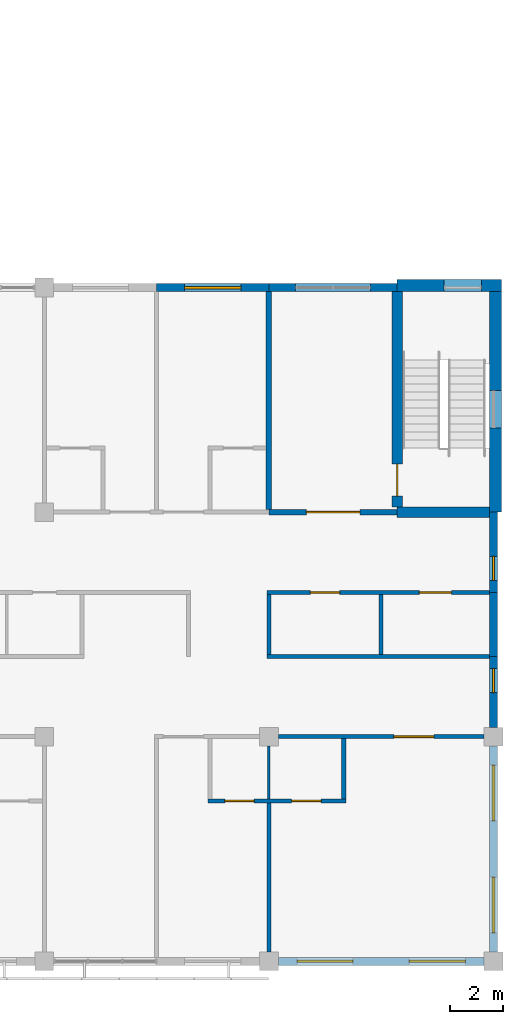
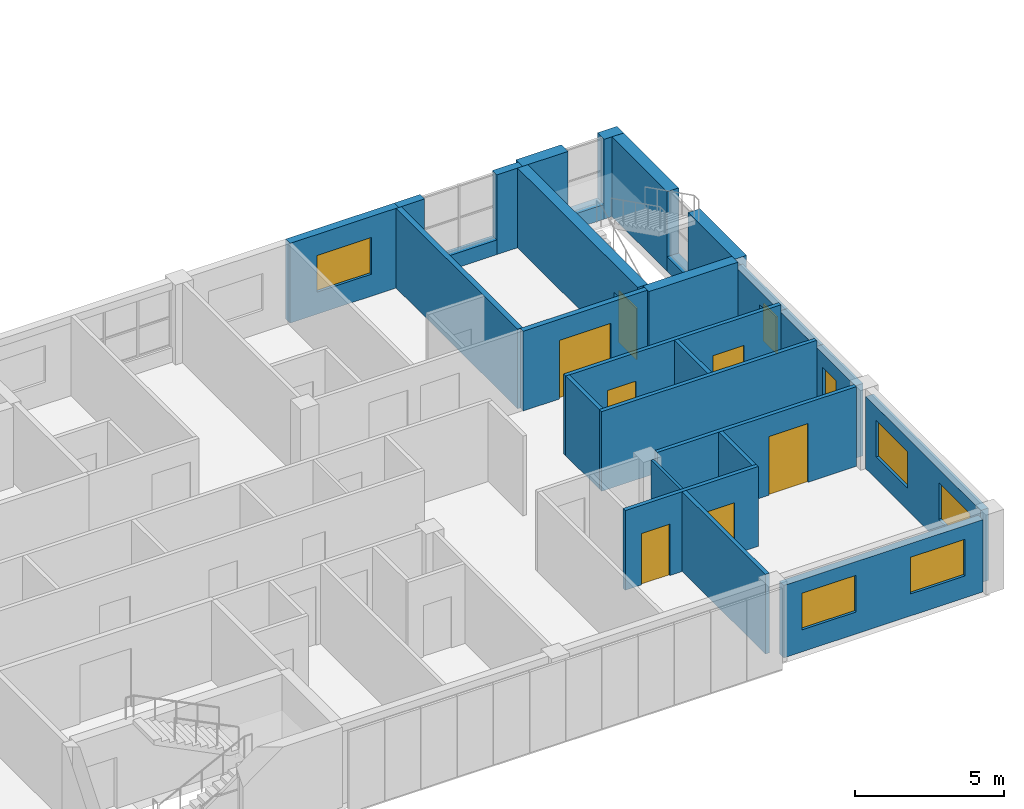
# One storey, part 37 of 45: 28 walls, 7 doors, 7 windows, 14 openings.
"""IFC4 building model written with IfcOpenShell, lengths in metres."""

from ifc_helpers import new_model, si_unit, direction, frame, frame_2d, origin, place, context, subcontext, project, spatial, rectangle, extrude, material, layer, layer_set, type_object, element, fill, save


model = new_model("IFC4")

# Units and contexts
model_context = context("Model", 3, precision=1e-05, world=origin(), true_north=direction((0.0, 1.0)))
body_context = subcontext(model_context, "Body", "Model", "MODEL_VIEW")
ifc_project = project(units=[si_unit("LENGTHUNIT", "METRE"), si_unit("AREAUNIT", "SQUARE_METRE"), si_unit("VOLUMEUNIT", "CUBIC_METRE"), si_unit("PLANEANGLEUNIT", "RADIAN"), si_unit("MASSUNIT", "GRAM", prefix="KILO")], contexts=[model_context])

# Site, building, storey
site_placement = place(None, origin())
site = spatial("IfcSite", under=ifc_project, at=site_placement, CompositionType="ELEMENT")
building_placement = place(site_placement, origin())
building = spatial("IfcBuilding", under=site, at=building_placement, Name="Yavir Park General Hospital", CompositionType="ELEMENT")
storey_placement = place(building_placement, frame((0.0, 0.0, 22.5)))
storey = spatial("IfcBuildingStorey", under=building, at=storey_placement, Name="L05", CompositionType="ELEMENT", Elevation=22.5)

# Wall, opening, door
ifc_material_1 = material(Name="Double gypsum board fire partition on steel studs", Category="steel")
ifc_layer_1 = layer(ifc_material_1, 0.199951171875)
ifc_layer_set_1 = layer_set([ifc_layer_1], Name="Double gypsum board fire partition on steel studs")
wall_type_1 = type_object("IfcWallType", Name="Fire-rated partition 200, EI 60", PredefinedType="PARTITIONING", material=ifc_layer_set_1)
wall_1_placement = place(storey_placement, frame((159.60009765625, 16.800048828125, 0.0), z_axis=(0.0, 0.0, 1.0), x_axis=(1.0, 0.0, 0.0)))
wall_1 = element("IfcWall", 1, at=wall_1_placement, inside=storey, type_object=wall_type_1, Name="FP20 L05-040", PredefinedType="PARTITIONING", context=body_context, shape_type="SweptSolid", body=[
    extrude(rectangle(XDim=4.7998046875, YDim=0.199951171875, at=frame_2d((2.39990234375, 0.0))), origin(), (0.0, 0.0, 1.0), 3.260009765625),
])
opening_1_placement = place(wall_1_placement, frame((1.39990234375, 0.0, 0.0)))
opening_1 = element("IfcOpeningElement", 2, at=opening_1_placement, cuts=wall_1, Name="Opening L05.D045", PredefinedType="OPENING", context=body_context, shape_type="SweptSolid", body=[
    extrude(rectangle(XDim=2.0, YDim=2.39990234375, at=frame_2d((1.0, 1.199951171875))), frame((0.0, 0.10986328125, 0.0), z_axis=(0.0, -1.0, 0.0), x_axis=(1.0, 0.0, 0.0)), (0.0, 0.0, 1.0), 0.219970703125),
])
ifc_material_2 = material(Name="Steel frame, fire-resisting leaves with vision panels", Category="steel")
door_type_1 = type_object("IfcDoorType", Name="Double fire door with vision panels 2000 x 2400, EI 60", OperationType="DOUBLE_DOOR_SINGLE_SWING", PredefinedType="DOOR", material=ifc_material_2)
door_1_placement = place(opening_1_placement, origin())
door_1 = element("IfcDoor", 3, at=door_1_placement, inside=storey, type_object=door_type_1, Name="L05.D045", OperationType="SINGLE_SWING_RIGHT", OverallHeight=2.39990234375, OverallWidth=2.0, PredefinedType="DOOR", context=body_context, shape_type="SweptSolid", body=[
    extrude(rectangle(XDim=2.0, YDim=2.39990234375, at=frame_2d((1.0, 1.199951171875))), frame((0.0, 0.030029296875, 0.0), z_axis=(0.0, -1.0, 0.0), x_axis=(1.0, 0.0, 0.0)), (0.0, 0.0, 1.0), 0.06005859375),
])
fill(opening_1, door_1)

# Walls
wall_2_placement = place(storey_placement, frame((159.60009765625, 16.89990234375, 0.0), z_axis=(0.0, 0.0, 1.0), x_axis=(0.0, 1.0, 0.0)))
element("IfcWall", 4, at=wall_2_placement, inside=storey, type_object=wall_type_1, Name="FP20 L05-269", PredefinedType="PARTITIONING", context=body_context, shape_type="SweptSolid", body=[
    extrude(rectangle(XDim=8.150146484375, YDim=0.199951171875, at=frame_2d((4.0751953125, 0.0))), origin(), (0.0, 0.0, 1.0), 3.260009765625),
])
ifc_material_3 = material(Name="Gypsum board partition on steel studs", Category="steel")
ifc_layer_2 = layer(ifc_material_3, 0.10009765625)
ifc_layer_set_2 = layer_set([ifc_layer_2], Name="Gypsum board partition on steel studs")
wall_type_2 = type_object("IfcWallType", Name="Gypsum board partition 100", PredefinedType="PARTITIONING", material=ifc_layer_set_2)
wall_3_placement = place(storey_placement, frame((159.60009765625, 6.074951171875, 0.0), z_axis=(0.0, 0.0, 1.0), x_axis=(0.0, 1.0, 0.0)))
element("IfcWall", 5, at=wall_3_placement, inside=storey, type_object=wall_type_2, Name="P10 L05-267", PredefinedType="PARTITIONING", context=body_context, shape_type="SweptSolid", body=[
    extrude(rectangle(XDim=1.97509765625, YDim=0.10009765625, at=frame_2d((0.987548828125, 0.0))), origin(), (0.0, 0.0, 1.0), 3.260009765625),
])

# Wall, openings, doors
ifc_material_4 = material(Name="Gypsum board partition on steel studs", Category="steel")
ifc_layer_3 = layer(ifc_material_4, 0.14990234375)
ifc_layer_set_3 = layer_set([ifc_layer_3], Name="Gypsum board partition on steel studs")
wall_type_3 = type_object("IfcWallType", Name="Gypsum board partition 150", PredefinedType="PARTITIONING", material=ifc_layer_set_3)
wall_4_placement = place(storey_placement, frame((157.324951171875, 6.0, 0.0), z_axis=(0.0, 0.0, 1.0), x_axis=(1.0, 0.0, 0.0)))
wall_4 = element("IfcWall", 6, at=wall_4_placement, inside=storey, type_object=wall_type_3, Name="P15 L05-010", PredefinedType="PARTITIONING", context=body_context, shape_type="SweptSolid", body=[
    extrude(rectangle(XDim=5.150146484375, YDim=0.14990234375, at=frame_2d((2.5751953125, 0.0))), origin(), (0.0, 0.0, 1.0), 3.260009765625),
])
opening_2_placement = place(wall_4_placement, frame((0.625, 0.0, 0.0)))
opening_2 = element("IfcOpeningElement", 7, at=opening_2_placement, cuts=wall_4, Name="Opening L05.D011", PredefinedType="OPENING", context=body_context, shape_type="SweptSolid", body=[
    extrude(rectangle(XDim=1.10009765625, YDim=2.10009765625, at=frame_2d((0.550048828125, 1.050048828125))), frame((0.0, 0.0849609375, 0.0), z_axis=(0.0, -1.0, 0.0), x_axis=(1.0, 0.0, 0.0)), (0.0, 0.0, 1.0), 0.169921875),
])
opening_3_placement = place(wall_4_placement, frame((3.125, 0.0, 0.0)))
opening_3 = element("IfcOpeningElement", 8, at=opening_3_placement, cuts=wall_4, Name="Opening L05.D012", PredefinedType="OPENING", context=body_context, shape_type="SweptSolid", body=[
    extrude(rectangle(XDim=1.10009765625, YDim=2.10009765625, at=frame_2d((0.550048828125, 1.050048828125))), frame((0.0, 0.0849609375, 0.0), z_axis=(0.0, -1.0, 0.0), x_axis=(1.0, 0.0, 0.0)), (0.0, 0.0, 1.0), 0.169921875),
])
ifc_material_5 = material(Name="Hollow metal frame, solid-core timber leaf", Category="wood")
door_type_2 = type_object("IfcDoorType", Name="Single swing door 1100 x 2100", OperationType="SINGLE_SWING_LEFT", PredefinedType="DOOR", material=ifc_material_5)
door_2_placement = place(opening_2_placement, origin())
door_2 = element("IfcDoor", 9, at=door_2_placement, inside=storey, type_object=door_type_2, Name="L05.D011", OperationType="SINGLE_SWING_RIGHT", OverallHeight=2.10009765625, OverallWidth=1.10009765625, PredefinedType="DOOR", context=body_context, shape_type="SweptSolid", body=[
    extrude(rectangle(XDim=1.10009765625, YDim=2.10009765625, at=frame_2d((0.550048828125, 1.050048828125))), frame((0.0, 0.02490234375, 0.0), z_axis=(0.0, -1.0, 0.0), x_axis=(1.0, 0.0, 0.0)), (0.0, 0.0, 1.0), 0.050048828125),
])
fill(opening_2, door_2)
door_3_placement = place(opening_3_placement, origin())
door_3 = element("IfcDoor", 10, at=door_3_placement, inside=storey, type_object=door_type_2, Name="L05.D012", OperationType="SINGLE_SWING_LEFT", OverallHeight=2.10009765625, OverallWidth=1.10009765625, PredefinedType="DOOR", context=body_context, shape_type="SweptSolid", body=[
    extrude(rectangle(XDim=1.10009765625, YDim=2.10009765625, at=frame_2d((0.550048828125, 1.050048828125))), frame((0.0, 0.02490234375, 0.0), z_axis=(0.0, -1.0, 0.0), x_axis=(1.0, 0.0, 0.0)), (0.0, 0.0, 1.0), 0.050048828125),
])
fill(opening_3, door_3)

# Wall, opening, door
wall_5_placement = place(storey_placement, frame((159.949951171875, 8.39990234375, 0.0), z_axis=(0.0, 0.0, 1.0), x_axis=(1.0, 0.0, 0.0)))
wall_5 = element("IfcWall", 11, at=wall_5_placement, inside=storey, type_object=wall_type_3, Name="P15 L05-020", PredefinedType="PARTITIONING", context=body_context, shape_type="SweptSolid", body=[
    extrude(rectangle(XDim=7.699951171875, YDim=0.14990234375, at=frame_2d((3.85009765625, 0.0))), origin(), (0.0, 0.0, 1.0), 3.260009765625),
])
opening_4_placement = place(wall_5_placement, frame((4.324951171875, 0.0, 0.0)))
opening_4 = element("IfcOpeningElement", 12, at=opening_4_placement, cuts=wall_5, Name="Opening L05.D025", PredefinedType="OPENING", context=body_context, shape_type="SweptSolid", body=[
    extrude(rectangle(XDim=1.5, YDim=2.39990234375, at=frame_2d((0.75, 1.199951171875))), frame((0.0, 0.0849609375, 0.0), z_axis=(0.0, -1.0, 0.0), x_axis=(1.0, 0.0, 0.0)), (0.0, 0.0, 1.0), 0.169921875),
])
ifc_material_6 = material(Name="Solid-core timber leaves, push plates, kick plates", Category="wood")
door_type_3 = type_object("IfcDoorType", Name="Bed door, unequal leaves 1500 x 2400", OperationType="DOUBLE_DOOR_SINGLE_SWING", PredefinedType="DOOR", material=ifc_material_6)
door_4_placement = place(opening_4_placement, origin())
door_4 = element("IfcDoor", 13, at=door_4_placement, inside=storey, type_object=door_type_3, Name="L05.D025", OperationType="SINGLE_SWING_LEFT", OverallHeight=2.39990234375, OverallWidth=1.5, PredefinedType="DOOR", context=body_context, shape_type="SweptSolid", body=[
    extrude(rectangle(XDim=1.5, YDim=2.39990234375, at=frame_2d((0.75, 1.199951171875))), frame((0.0, 0.030029296875, 0.0), z_axis=(0.0, -1.0, 0.0), x_axis=(1.0, 0.0, 0.0)), (0.0, 0.0, 1.0), 0.06005859375),
])
fill(opening_4, door_4)

# Wall
wall_6_placement = place(storey_placement, frame((159.52490234375, 11.39990234375, 0.0), z_axis=(0.0, 0.0, 1.0), x_axis=(1.0, 0.0, 0.0)))
element("IfcWall", 14, at=wall_6_placement, inside=storey, type_object=wall_type_3, Name="P15 L05-024", PredefinedType="PARTITIONING", context=body_context, shape_type="SweptSolid", body=[
    extrude(rectangle(XDim=8.3251953125, YDim=0.14990234375, at=frame_2d((4.16259765625, 0.0))), origin(), (0.0, 0.0, 1.0), 3.260009765625),
])

# Wall, openings, doors
wall_7_placement = place(storey_placement, frame((159.52490234375, 13.800048828125, 0.0), z_axis=(0.0, 0.0, 1.0), x_axis=(1.0, 0.0, 0.0)))
wall_7 = element("IfcWall", 15, at=wall_7_placement, inside=storey, type_object=wall_type_3, Name="P15 L05-030", PredefinedType="PARTITIONING", context=body_context, shape_type="SweptSolid", body=[
    extrude(rectangle(XDim=8.3251953125, YDim=0.14990234375, at=frame_2d((4.16259765625, 0.0))), origin(), (0.0, 0.0, 1.0), 3.260009765625),
])
opening_5_placement = place(wall_7_placement, frame((1.625, 0.0, 0.0)))
opening_5 = element("IfcOpeningElement", 16, at=opening_5_placement, cuts=wall_7, Name="Opening L05.D033", PredefinedType="OPENING", context=body_context, shape_type="SweptSolid", body=[
    extrude(rectangle(XDim=1.10009765625, YDim=2.10009765625, at=frame_2d((0.550048828125, 1.050048828125))), frame((0.0, 0.0849609375, 0.0), z_axis=(0.0, -1.0, 0.0), x_axis=(1.0, 0.0, 0.0)), (0.0, 0.0, 1.0), 0.169921875),
])
opening_6_placement = place(wall_7_placement, frame((5.699951171875, 0.0, 0.0)))
opening_6 = element("IfcOpeningElement", 17, at=opening_6_placement, cuts=wall_7, Name="Opening L05.D034", PredefinedType="OPENING", context=body_context, shape_type="SweptSolid", body=[
    extrude(rectangle(XDim=1.199951171875, YDim=2.10009765625, at=frame_2d((0.60009765625, 1.050048828125))), frame((0.0, 0.0849609375, 0.0), z_axis=(0.0, -1.0, 0.0), x_axis=(1.0, 0.0, 0.0)), (0.0, 0.0, 1.0), 0.169921875),
])
door_5_placement = place(opening_5_placement, origin())
door_5 = element("IfcDoor", 18, at=door_5_placement, inside=storey, type_object=door_type_2, Name="L05.D033", OperationType="SINGLE_SWING_LEFT", OverallHeight=2.10009765625, OverallWidth=1.10009765625, PredefinedType="DOOR", context=body_context, shape_type="SweptSolid", body=[
    extrude(rectangle(XDim=1.10009765625, YDim=2.10009765625, at=frame_2d((0.550048828125, 1.050048828125))), frame((0.0, 0.02490234375, 0.0), z_axis=(0.0, -1.0, 0.0), x_axis=(1.0, 0.0, 0.0)), (0.0, 0.0, 1.0), 0.050048828125),
])
fill(opening_5, door_5)
ifc_material_7 = material(Name="Hollow metal frame, solid-core timber leaf", Category="wood")
door_type_4 = type_object("IfcDoorType", Name="Single swing door 1200 x 2100", OperationType="SINGLE_SWING_LEFT", PredefinedType="DOOR", material=ifc_material_7)
door_6_placement = place(opening_6_placement, origin())
door_6 = element("IfcDoor", 19, at=door_6_placement, inside=storey, type_object=door_type_4, Name="L05.D034", OperationType="SINGLE_SWING_LEFT", OverallHeight=2.10009765625, OverallWidth=1.199951171875, PredefinedType="DOOR", context=body_context, shape_type="SweptSolid", body=[
    extrude(rectangle(XDim=1.199951171875, YDim=2.10009765625, at=frame_2d((0.60009765625, 1.050048828125))), frame((0.0, 0.02490234375, 0.0), z_axis=(0.0, -1.0, 0.0), x_axis=(1.0, 0.0, 0.0)), (0.0, 0.0, 1.0), 0.050048828125),
])
fill(opening_6, door_6)

# Walls
wall_8_placement = place(storey_placement, frame((159.60009765625, 0.35009765625, 0.0), z_axis=(0.0, 0.0, 1.0), x_axis=(0.0, 1.0, 0.0)))
element("IfcWall", 20, at=wall_8_placement, inside=storey, type_object=wall_type_3, Name="P15 L05-266", PredefinedType="PARTITIONING", context=body_context, shape_type="SweptSolid", body=[
    extrude(rectangle(XDim=5.574951171875, YDim=0.14990234375, at=frame_2d((2.78759765625, 0.0))), origin(), (0.0, 0.0, 1.0), 3.260009765625),
])
for number, where, z_axis, x_axis, name in (
    (21, (159.60009765625, 11.47509765625, 0.0), (0.0, 0.0, 1.0), (0.0, 1.0, 0.0), "P15 L05-268"),
    (22, (162.39990234375, 6.074951171875, 0.0), (0.0, 0.0, 1.0), (0.0, 1.0, 0.0), "P15 L05-270"),
    (23, (163.800048828125, 11.47509765625, 0.0), (0.0, 0.0, 1.0), (0.0, 1.0, 0.0), "P15 L05-271"),
):
    element("IfcWall", number, at=place(storey_placement, frame(where, z_axis=z_axis, x_axis=x_axis)), inside=storey, type_object=wall_type_3, Name=name, PredefinedType="PARTITIONING", context=body_context, shape_type="SweptSolid", body=[
        extrude(rectangle(XDim=2.25, YDim=0.14990234375, at=frame_2d((1.125, 0.0))), origin(), (0.0, 0.0, 1.0), 3.260009765625),
    ])

# Wall, openings, windows
ifc_material_8 = material(Name="Autoclaved aerated block, mineral wool and ochre mineral render")
ifc_layer_4 = layer(ifc_material_8, 0.300048828125)
ifc_layer_set_4 = layer_set([ifc_layer_4], Name="Autoclaved aerated block, mineral wool and ochre mineral render")
wall_type_4 = type_object("IfcWallType", Name="Ochre render ward wall 300, E 30", PredefinedType="SOLIDWALL", material=ifc_layer_set_4)
wall_9_placement = place(storey_placement, frame((159.949951171875, 0.0, 0.0), z_axis=(0.0, 0.0, 1.0), x_axis=(1.0, 0.0, 0.0)))
wall_9 = element("IfcWall", 24, at=wall_9_placement, inside=storey, type_object=wall_type_4, Name="XW7 L05-031", PredefinedType="SOLIDWALL", context=body_context, shape_type="SweptSolid", body=[
    extrude(rectangle(XDim=7.699951171875, YDim=0.300048828125, at=frame_2d((3.85009765625, 0.0))), origin(), (0.0, 0.0, 1.0), 2.9599609375),
])
opening_7_placement = place(wall_9_placement, frame((0.699951171875, 0.0, 0.89990234375)))
opening_7 = element("IfcOpeningElement", 25, at=opening_7_placement, cuts=wall_9, Name="Opening WAR", PredefinedType="OPENING", context=body_context, shape_type="SweptSolid", body=[
    extrude(rectangle(XDim=2.10009765625, YDim=1.5, at=frame_2d((1.050048828125, 0.75))), frame((0.0, 0.159912109375, 0.0), z_axis=(0.0, -1.0, 0.0), x_axis=(1.0, 0.0, 0.0)), (0.0, 0.0, 1.0), 0.320068359375),
])
opening_8_placement = place(wall_9_placement, frame((4.89990234375, 0.0, 0.89990234375)))
opening_8 = element("IfcOpeningElement", 26, at=opening_8_placement, cuts=wall_9, Name="Opening WAR", PredefinedType="OPENING", context=body_context, shape_type="SweptSolid", body=[
    extrude(rectangle(XDim=2.10009765625, YDim=1.5, at=frame_2d((1.050048828125, 0.75))), frame((0.0, 0.159912109375, 0.0), z_axis=(0.0, -1.0, 0.0), x_axis=(1.0, 0.0, 0.0)), (0.0, 0.0, 1.0), 0.320068359375),
])
ifc_material_9 = material(Name="Aluminium frame, tilt-and-turn sash with opening restrictor, double glazed unit", Category="aluminium")
window_type_1 = type_object("IfcWindowType", Name="Ward window, restricted opening 2100 x 1500", PartitioningType="DOUBLE_PANEL_VERTICAL", PredefinedType="WINDOW", material=ifc_material_9)
window_1_placement = place(opening_7_placement, origin())
window_1 = element("IfcWindow", 27, at=window_1_placement, inside=storey, type_object=window_type_1, Name="WAR L05-010", OverallHeight=1.5, OverallWidth=2.10009765625, PartitioningType="DOUBLE_PANEL_VERTICAL", PredefinedType="WINDOW", context=body_context, shape_type="SweptSolid", body=[
    extrude(rectangle(XDim=2.10009765625, YDim=1.5, at=frame_2d((1.050048828125, 0.75))), frame((0.0, 0.050048828125, 0.0), z_axis=(0.0, -1.0, 0.0), x_axis=(1.0, 0.0, 0.0)), (0.0, 0.0, 1.0), 0.10009765625),
])
fill(opening_7, window_1)
window_2_placement = place(opening_8_placement, origin())
window_2 = element("IfcWindow", 28, at=window_2_placement, inside=storey, type_object=window_type_1, Name="WAR L05-011", OverallHeight=1.5, OverallWidth=2.10009765625, PartitioningType="DOUBLE_PANEL_VERTICAL", PredefinedType="WINDOW", context=body_context, shape_type="SweptSolid", body=[
    extrude(rectangle(XDim=2.10009765625, YDim=1.5, at=frame_2d((1.050048828125, 0.75))), frame((0.0, 0.050048828125, 0.0), z_axis=(0.0, -1.0, 0.0), x_axis=(1.0, 0.0, 0.0)), (0.0, 0.0, 1.0), 0.10009765625),
])
fill(opening_8, window_2)

# Wall, opening, window
wall_10_placement = place(storey_placement, frame((155.39990234375, 25.199951171875, 0.0), z_axis=(0.0, 0.0, 1.0), x_axis=(1.0, 0.0, 0.0)))
wall_10 = element("IfcWall", 29, at=wall_10_placement, inside=storey, type_object=wall_type_4, Name="XW7 L05-051", PredefinedType="SOLIDWALL", context=body_context, shape_type="SweptSolid", body=[
    extrude(rectangle(XDim=4.2001953125, YDim=0.300048828125, at=frame_2d((2.10009765625, 0.0))), origin(), (0.0, 0.0, 1.0), 3.260009765625),
])
opening_9_placement = place(wall_10_placement, frame((1.050048828125, 0.0, 0.89990234375)))
opening_9 = element("IfcOpeningElement", 30, at=opening_9_placement, cuts=wall_10, Name="Opening WAR", PredefinedType="OPENING", context=body_context, shape_type="SweptSolid", body=[
    extrude(rectangle(XDim=2.10009765625, YDim=1.5, at=frame_2d((1.050048828125, 0.75))), frame((0.0, 0.159912109375, 0.0), z_axis=(0.0, -1.0, 0.0), x_axis=(1.0, 0.0, 0.0)), (0.0, 0.0, 1.0), 0.320068359375),
])
window_3_placement = place(opening_9_placement, origin())
window_3 = element("IfcWindow", 31, at=window_3_placement, inside=storey, type_object=window_type_1, Name="WAR L05-018", OverallHeight=1.5, OverallWidth=2.10009765625, PartitioningType="DOUBLE_PANEL_VERTICAL", PredefinedType="WINDOW", context=body_context, shape_type="SweptSolid", body=[
    extrude(rectangle(XDim=2.10009765625, YDim=1.5, at=frame_2d((1.050048828125, 0.75))), frame((0.0, 0.050048828125, 0.0), z_axis=(0.0, -1.0, 0.0), x_axis=(1.0, 0.0, 0.0)), (0.0, 0.0, 1.0), 0.10009765625),
])
fill(opening_9, window_3)

# Walls
for number, where, z_axis, x_axis, name in (
    (32, (159.60009765625, 25.199951171875, 0.0), (0.0, 0.0, 1.0), (1.0, 0.0, 0.0), "XW7 L05-052"),
    (33, (163.39990234375, 25.199951171875, 0.0), (0.0, 0.0, 1.0), (1.0, 0.0, 0.0), "XW7 L05-053"),
):
    element("IfcWall", number, at=place(storey_placement, frame(where, z_axis=z_axis, x_axis=x_axis)), inside=storey, type_object=wall_type_4, Name=name, PredefinedType="SOLIDWALL", context=body_context, shape_type="SweptSolid", body=[
        extrude(rectangle(XDim=1.0, YDim=0.300048828125, at=frame_2d((0.5, 0.0))), origin(), (0.0, 0.0, 1.0), 3.260009765625),
    ])
wall_11_placement = place(storey_placement, frame((160.60009765625, 25.199951171875, 0.0), z_axis=(0.0, 0.0, 1.0), x_axis=(1.0, 0.0, 0.0)))
element("IfcWall", 34, at=wall_11_placement, inside=storey, type_object=wall_type_4, Name="XW7 L05-054", PredefinedType="SOLIDWALL", context=body_context, shape_type="SweptSolid", body=[
    extrude(rectangle(XDim=2.7998046875, YDim=0.300048828125, at=frame_2d((1.39990234375, 0.0))), origin(), (0.0, 0.0, 1.0), 0.60009765625),
])

# Wall, openings, windows
wall_12_placement = place(storey_placement, frame((168.0, 0.35009765625, 0.0), z_axis=(0.0, 0.0, 1.0), x_axis=(0.0, 1.0, 0.0)))
wall_12 = element("IfcWall", 35, at=wall_12_placement, inside=storey, type_object=wall_type_4, Name="XW7 L05-145", PredefinedType="SOLIDWALL", context=body_context, shape_type="SweptSolid", body=[
    extrude(rectangle(XDim=7.699951171875, YDim=0.300048828125, at=frame_2d((3.85009765625, 0.0))), origin(), (0.0, 0.0, 1.0), 2.9599609375),
])
opening_10_placement = place(wall_12_placement, frame((0.699951171875, 0.0, 0.89990234375)))
opening_10 = element("IfcOpeningElement", 36, at=opening_10_placement, cuts=wall_12, Name="Opening WAR", PredefinedType="OPENING", context=body_context, shape_type="SweptSolid", body=[
    extrude(rectangle(XDim=2.10009765625, YDim=1.5, at=frame_2d((1.050048828125, 0.75))), frame((0.0, 0.159912109375, 0.0), z_axis=(0.0, -1.0, 0.0), x_axis=(1.0, 0.0, 0.0)), (0.0, 0.0, 1.0), 0.320068359375),
])
opening_11_placement = place(wall_12_placement, frame((4.89990234375, 0.0, 0.89990234375)))
opening_11 = element("IfcOpeningElement", 37, at=opening_11_placement, cuts=wall_12, Name="Opening WAR", PredefinedType="OPENING", context=body_context, shape_type="SweptSolid", body=[
    extrude(rectangle(XDim=2.10009765625, YDim=1.5, at=frame_2d((1.050048828125, 0.75))), frame((0.0, 0.159912109375, 0.0), z_axis=(0.0, -1.0, 0.0), x_axis=(1.0, 0.0, 0.0)), (0.0, 0.0, 1.0), 0.320068359375),
])
window_4_placement = place(opening_10_placement, origin())
window_4 = element("IfcWindow", 38, at=window_4_placement, inside=storey, type_object=window_type_1, Name="WAR L05-064", OverallHeight=1.5, OverallWidth=2.10009765625, PartitioningType="DOUBLE_PANEL_VERTICAL", PredefinedType="WINDOW", context=body_context, shape_type="SweptSolid", body=[
    extrude(rectangle(XDim=2.10009765625, YDim=1.5, at=frame_2d((1.050048828125, 0.75))), frame((0.0, 0.050048828125, 0.0), z_axis=(0.0, -1.0, 0.0), x_axis=(1.0, 0.0, 0.0)), (0.0, 0.0, 1.0), 0.10009765625),
])
fill(opening_10, window_4)
window_5_placement = place(opening_11_placement, origin())
window_5 = element("IfcWindow", 39, at=window_5_placement, inside=storey, type_object=window_type_1, Name="WAR L05-065", OverallHeight=1.5, OverallWidth=2.10009765625, PartitioningType="DOUBLE_PANEL_VERTICAL", PredefinedType="WINDOW", context=body_context, shape_type="SweptSolid", body=[
    extrude(rectangle(XDim=2.10009765625, YDim=1.5, at=frame_2d((1.050048828125, 0.75))), frame((0.0, 0.050048828125, 0.0), z_axis=(0.0, -1.0, 0.0), x_axis=(1.0, 0.0, 0.0)), (0.0, 0.0, 1.0), 0.10009765625),
])
fill(opening_11, window_5)

# Wall, opening, window
wall_13_placement = place(storey_placement, frame((168.0, 8.75, 0.0), z_axis=(0.0, 0.0, 1.0), x_axis=(0.0, 1.0, 0.0)))
wall_13 = element("IfcWall", 40, at=wall_13_placement, inside=storey, type_object=wall_type_4, Name="XW7 L05-146", PredefinedType="SOLIDWALL", context=body_context, shape_type="SweptSolid", body=[
    extrude(rectangle(XDim=2.64990234375, YDim=0.300048828125, at=frame_2d((1.324951171875, 0.0))), origin(), (0.0, 0.0, 1.0), 2.9599609375),
])
opening_12_placement = place(wall_13_placement, frame((1.300048828125, 0.0, 0.89990234375)))
opening_12 = element("IfcOpeningElement", 41, at=opening_12_placement, cuts=wall_13, Name="Opening WH", PredefinedType="OPENING", context=body_context, shape_type="SweptSolid", body=[
    extrude(rectangle(XDim=0.89990234375, YDim=1.5, at=frame_2d((0.449951171875, 0.75))), frame((0.0, 0.159912109375, 0.0), z_axis=(0.0, -1.0, 0.0), x_axis=(1.0, 0.0, 0.0)), (0.0, 0.0, 1.0), 0.320068359375),
])
ifc_material_10 = material(Name="Aluminium frame, double glazed unit", Category="aluminium")
window_type_2 = type_object("IfcWindowType", Name="Narrow window 900 x 1500", PartitioningType="SINGLE_PANEL", PredefinedType="WINDOW", material=ifc_material_10)
window_6_placement = place(opening_12_placement, origin())
window_6 = element("IfcWindow", 42, at=window_6_placement, inside=storey, type_object=window_type_2, Name="WH L05-066", OverallHeight=1.5, OverallWidth=0.89990234375, PartitioningType="SINGLE_PANEL", PredefinedType="WINDOW", context=body_context, shape_type="SweptSolid", body=[
    extrude(rectangle(XDim=0.89990234375, YDim=1.5, at=frame_2d((0.449951171875, 0.75))), frame((0.0, 0.030029296875, 0.0), z_axis=(0.0, -1.0, 0.0), x_axis=(1.0, 0.0, 0.0)), (0.0, 0.0, 1.0), 0.06005859375),
])
fill(opening_12, window_6)

# Wall
wall_14_placement = place(storey_placement, frame((168.0, 11.39990234375, 0.0), z_axis=(0.0, 0.0, 1.0), x_axis=(0.0, 1.0, 0.0)))
element("IfcWall", 43, at=wall_14_placement, inside=storey, type_object=wall_type_4, Name="XW7 L05-147", PredefinedType="SOLIDWALL", context=body_context, shape_type="SweptSolid", body=[
    extrude(rectangle(XDim=2.400146484375, YDim=0.300048828125, at=frame_2d((1.2001953125, 0.0))), origin(), (0.0, 0.0, 1.0), 2.9599609375),
])

# Wall, opening, window
wall_15_placement = place(storey_placement, frame((168.0, 13.800048828125, 0.0), z_axis=(0.0, 0.0, 1.0), x_axis=(0.0, 1.0, 0.0)))
wall_15 = element("IfcWall", 44, at=wall_15_placement, inside=storey, type_object=wall_type_4, Name="XW7 L05-148", PredefinedType="SOLIDWALL", context=body_context, shape_type="SweptSolid", body=[
    extrude(rectangle(XDim=3.0, YDim=0.300048828125, at=frame_2d((1.5, 0.0))), origin(), (0.0, 0.0, 1.0), 2.9599609375),
])
opening_13_placement = place(wall_15_placement, frame((0.449951171875, 0.0, 0.89990234375)))
opening_13 = element("IfcOpeningElement", 45, at=opening_13_placement, cuts=wall_15, Name="Opening WH", PredefinedType="OPENING", context=body_context, shape_type="SweptSolid", body=[
    extrude(rectangle(XDim=0.89990234375, YDim=1.5, at=frame_2d((0.449951171875, 0.75))), frame((0.0, 0.159912109375, 0.0), z_axis=(0.0, -1.0, 0.0), x_axis=(1.0, 0.0, 0.0)), (0.0, 0.0, 1.0), 0.320068359375),
])
window_7_placement = place(opening_13_placement, origin())
window_7 = element("IfcWindow", 46, at=window_7_placement, inside=storey, type_object=window_type_2, Name="WH L05-067", OverallHeight=1.5, OverallWidth=0.89990234375, PartitioningType="SINGLE_PANEL", PredefinedType="WINDOW", context=body_context, shape_type="SweptSolid", body=[
    extrude(rectangle(XDim=0.89990234375, YDim=1.5, at=frame_2d((0.449951171875, 0.75))), frame((0.0, 0.030029296875, 0.0), z_axis=(0.0, -1.0, 0.0), x_axis=(1.0, 0.0, 0.0)), (0.0, 0.0, 1.0), 0.06005859375),
])
fill(opening_13, window_7)

# Wall
ifc_material_11 = material(Name="Concrete C35/45", Category="concrete")
ifc_layer_5 = layer(ifc_material_11, 0.39990234375)
ifc_layer_set_5 = layer_set([ifc_layer_5], Name="Concrete C35/45")
wall_type_5 = type_object("IfcWallType", Name="Reinforced concrete core wall 400, REI 150", PredefinedType="SHEAR", material=ifc_layer_set_5)
wall_16_placement = place(storey_placement, frame((164.39990234375, 16.800048828125, 0.0), z_axis=(0.0, 0.0, 1.0), x_axis=(1.0, 0.0, 0.0)))
element("IfcWall", 47, at=wall_16_placement, inside=storey, type_object=wall_type_5, Name="CW40 L05-041", PredefinedType="SHEAR", context=body_context, shape_type="SweptSolid", body=[
    extrude(rectangle(XDim=3.4501953125, YDim=0.39990234375, at=frame_2d((1.72509765625, 0.0))), origin(), (0.0, 0.0, 1.0), 3.260009765625),
])

# Wall, opening, door
wall_17_placement = place(storey_placement, frame((164.39990234375, 17.0, 0.0), z_axis=(0.0, 0.0, 1.0), x_axis=(0.0, 1.0, 0.0)))
wall_17 = element("IfcWall", 48, at=wall_17_placement, inside=storey, type_object=wall_type_5, Name="CW40 L05-272", PredefinedType="SHEAR", context=body_context, shape_type="SweptSolid", body=[
    extrude(rectangle(XDim=8.050048828125, YDim=0.39990234375, at=frame_2d((4.02490234375, 0.0))), origin(), (0.0, 0.0, 1.0), 3.260009765625),
])
opening_14_placement = place(wall_17_placement, frame((0.39990234375, 0.0, 0.0)))
opening_14 = element("IfcOpeningElement", 49, at=opening_14_placement, cuts=wall_17, Name="Opening L05.D150", PredefinedType="OPENING", context=body_context, shape_type="SweptSolid", body=[
    extrude(rectangle(XDim=1.199951171875, YDim=2.10009765625, at=frame_2d((0.60009765625, 1.050048828125))), frame((0.0, 0.2099609375, 0.0), z_axis=(0.0, -1.0, 0.0), x_axis=(1.0, 0.0, 0.0)), (0.0, 0.0, 1.0), 0.419921875),
])
ifc_material_12 = material(Name="Steel frame, fire-resisting timber leaf", Category="steel")
door_type_5 = type_object("IfcDoorType", Name="Fire door 1200 x 2100, EI 60", OperationType="SINGLE_SWING_LEFT", PredefinedType="DOOR", material=ifc_material_12)
door_7_placement = place(opening_14_placement, origin())
door_7 = element("IfcDoor", 50, at=door_7_placement, inside=storey, type_object=door_type_5, Name="L05.D150", OperationType="SINGLE_SWING_LEFT", OverallHeight=2.10009765625, OverallWidth=1.199951171875, PredefinedType="DOOR", context=body_context, shape_type="SweptSolid", body=[
    extrude(rectangle(XDim=1.199951171875, YDim=2.10009765625, at=frame_2d((0.60009765625, 1.050048828125))), frame((0.0, 0.02490234375, 0.0), z_axis=(0.0, -1.0, 0.0), x_axis=(1.0, 0.0, 0.0)), (0.0, 0.0, 1.0), 0.050048828125),
])
fill(opening_14, door_7)

# Walls
ifc_material_13 = material(Name="Concrete C30/37 precast panel with 150 mm mineral wool insulation", Category="concrete")
ifc_layer_6 = layer(ifc_material_13, 0.449951171875)
ifc_layer_set_6 = layer_set([ifc_layer_6], Name="Concrete C30/37 precast panel with 150 mm mineral wool insulation")
wall_type_6 = type_object("IfcWallType", Name="Stair enclosure wall 450, REI 150", PredefinedType="SOLIDWALL", material=ifc_layer_set_6)
wall_18_placement = place(storey_placement, frame((164.39990234375, 25.27490234375, 0.0), z_axis=(0.0, 0.0, 1.0), x_axis=(1.0, 0.0, 0.0)))
element("IfcWall", 51, at=wall_18_placement, inside=storey, type_object=wall_type_6, Name="XW6 L05-055", PredefinedType="SOLIDWALL", context=body_context, shape_type="SweptSolid", body=[
    extrude(rectangle(XDim=1.75, YDim=0.449951171875, at=frame_2d((0.875, 0.0))), origin(), (0.0, 0.0, 1.0), 3.260009765625),
])
wall_19_placement = place(storey_placement, frame((167.550048828125, 25.27490234375, 0.0), z_axis=(0.0, 0.0, 1.0), x_axis=(1.0, 0.0, 0.0)))
element("IfcWall", 52, at=wall_19_placement, inside=storey, type_object=wall_type_6, Name="XW6 L05-056", PredefinedType="SOLIDWALL", context=body_context, shape_type="SweptSolid", body=[
    extrude(rectangle(XDim=0.75, YDim=0.449951171875, at=frame_2d((0.375, 0.0))), origin(), (0.0, 0.0, 1.0), 3.260009765625),
])
wall_20_placement = place(storey_placement, frame((166.14990234375, 25.27490234375, 0.0), z_axis=(0.0, 0.0, 1.0), x_axis=(1.0, 0.0, 0.0)))
element("IfcWall", 53, at=wall_20_placement, inside=storey, type_object=wall_type_6, Name="XW6 L05-057", PredefinedType="SOLIDWALL", context=body_context, shape_type="SweptSolid", body=[
    extrude(rectangle(XDim=1.400146484375, YDim=0.449951171875, at=frame_2d((0.7001953125, 0.0))), origin(), (0.0, 0.0, 1.0), 0.60009765625),
])
wall_21_placement = place(storey_placement, frame((168.074951171875, 16.800048828125, 0.0), z_axis=(0.0, 0.0, 1.0), x_axis=(0.0, 1.0, 0.0)))
element("IfcWall", 54, at=wall_21_placement, inside=storey, type_object=wall_type_6, Name="XW6 L05-149", PredefinedType="SOLIDWALL", context=body_context, shape_type="SweptSolid", body=[
    extrude(rectangle(XDim=3.14990234375, YDim=0.449951171875, at=frame_2d((1.574951171875, 0.0))), origin(), (0.0, 0.0, 1.0), 3.260009765625),
])
wall_22_placement = place(storey_placement, frame((168.074951171875, 21.35009765625, 0.0), z_axis=(0.0, 0.0, 1.0), x_axis=(0.0, 1.0, 0.0)))
element("IfcWall", 55, at=wall_22_placement, inside=storey, type_object=wall_type_6, Name="XW6 L05-150", PredefinedType="SOLIDWALL", context=body_context, shape_type="SweptSolid", body=[
    extrude(rectangle(XDim=3.699951171875, YDim=0.449951171875, at=frame_2d((1.85009765625, 0.0))), origin(), (0.0, 0.0, 1.0), 3.260009765625),
])
wall_23_placement = place(storey_placement, frame((168.074951171875, 19.949951171875, 0.0), z_axis=(0.0, 0.0, 1.0), x_axis=(0.0, 1.0, 0.0)))
element("IfcWall", 56, at=wall_23_placement, inside=storey, type_object=wall_type_6, Name="XW6 L05-151", PredefinedType="SOLIDWALL", context=body_context, shape_type="SweptSolid", body=[
    extrude(rectangle(XDim=1.400146484375, YDim=0.449951171875, at=frame_2d((0.7001953125, 0.0))), origin(), (0.0, 0.0, 1.0), 0.60009765625),
])

save(model, "model.ifc")
